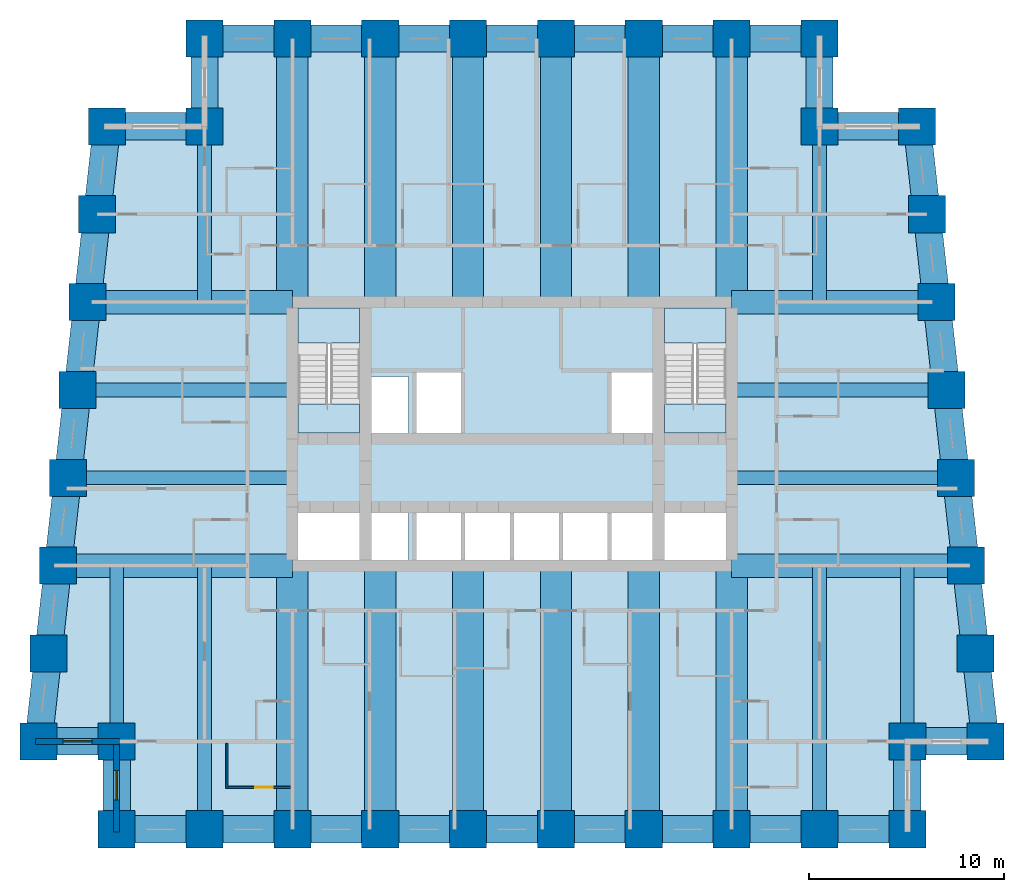
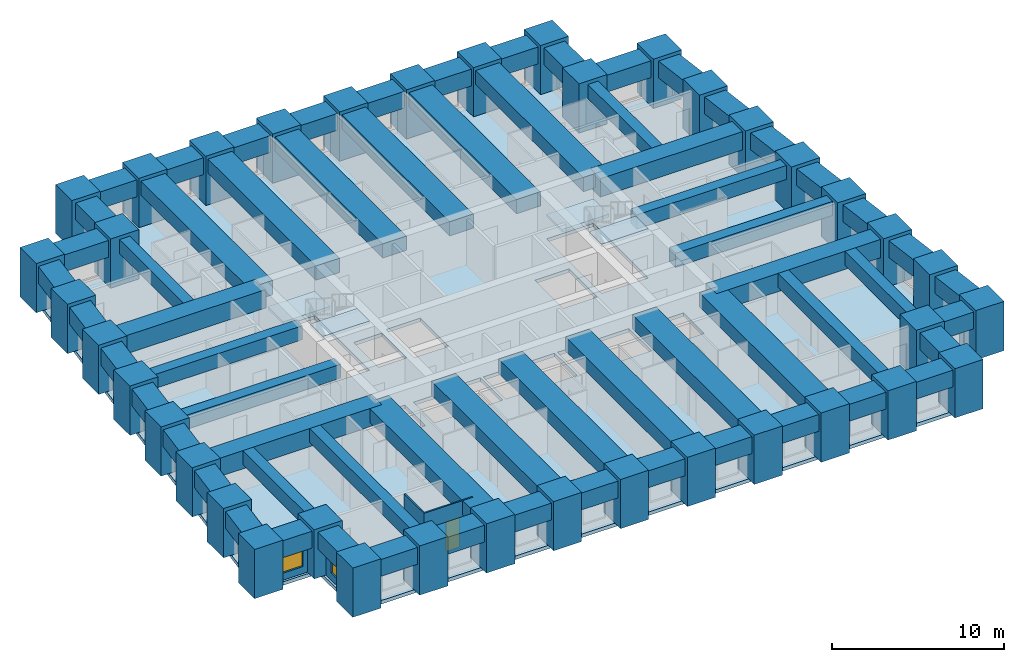
# One storey, part 1 of 8: 64 beams, 38 columns, 5 slabs, 4 walls, 2 windows, 1 door, 3 openings, 2 elements without a shape of their own.
"""IFC4 building model written with IfcOpenShell, lengths in metres."""

from ifc_helpers import new_model, si_unit, direction, frame, frame_2d, origin, origin_2d, place, context, subcontext, project, spatial, polyline, rectangle, outline, extrude, material, layer, layer_set, material_profile, profile_set, type_object, element, fill, aggregate, save


model = new_model("IFC4")

# Units and contexts
model_context = context("Model", 3, precision=1e-05, world=origin(), true_north=direction((0.0, 1.0)))
body_context = subcontext(model_context, "Body", "Model", "MODEL_VIEW")
ifc_project = project(units=[si_unit("LENGTHUNIT", "METRE"), si_unit("AREAUNIT", "SQUARE_METRE"), si_unit("VOLUMEUNIT", "CUBIC_METRE"), si_unit("PLANEANGLEUNIT", "RADIAN"), si_unit("MASSUNIT", "GRAM", prefix="KILO")], contexts=[model_context])

# Site, building, storey
site_placement = place(None, origin())
site = spatial("IfcSite", under=ifc_project, at=site_placement, CompositionType="ELEMENT")
building_placement = place(site_placement, origin())
building = spatial("IfcBuilding", under=site, at=building_placement, Name="Kilele Tower Hotel", CompositionType="ELEMENT")
storey_placement = place(building_placement, frame((0.0, 0.0, 54.199951171875)))
storey = spatial("IfcBuildingStorey", under=building, at=storey_placement, Name="L12", CompositionType="ELEMENT", Elevation=54.199951171875)

# Columns
ifc_material_1 = material(Name="Concrete C80/95", Category="concrete")
ifc_material_profile_1 = material_profile(ifc_material_1, rectangle(XDim=1.89990234375, YDim=1.89990234375, at=origin_2d()))
ifc_profile_set_1 = profile_set([ifc_material_profile_1], Name="Concrete C80/95")
column_type = type_object("IfcColumnType", Name="Tube column RC 1900x1900 C80/95", PredefinedType="COLUMN", material=ifc_profile_set_1)
for number, where, z_axis, x_axis, name in (
    (1, (0.5, 4.5, 0.0), (0.0, 0.0, 1.0), (1.0, 0.0, 0.0), "Column TC1 L12"),
    (2, (4.5, 4.5, 0.0), (0.0, 0.0, 1.0), (1.0, 0.0, 0.0), "Column TC1 L12"),
    (3, (4.5, 0.0, 0.0), (0.0, 0.0, 1.0), (1.0, 0.0, 0.0), "Column TC1 L12"),
    (4, (9.0, 0.0, 0.0), (0.0, 0.0, 1.0), (1.0, 0.0, 0.0), "Column TC1 L12"),
    (5, (13.5, 0.0, 0.0), (0.0, 0.0, 1.0), (1.0, 0.0, 0.0), "Column TC1 L12"),
    (6, (18.0, 0.0, 0.0), (0.0, 0.0, 1.0), (1.0, 0.0, 0.0), "Column TC1 L12"),
    (7, (22.5, 0.0, 0.0), (0.0, 0.0, 1.0), (1.0, 0.0, 0.0), "Column TC1 L12"),
    (8, (27.0, 0.0, 0.0), (0.0, 0.0, 1.0), (1.0, 0.0, 0.0), "Column TC1 L12"),
    (9, (31.5, 0.0, 0.0), (0.0, 0.0, 1.0), (1.0, 0.0, 0.0), "Column TC1 L12"),
    (10, (36.0, 0.0, 0.0), (0.0, 0.0, 1.0), (1.0, 0.0, 0.0), "Column TC1 L12"),
    (11, (40.5, 0.0, 0.0), (0.0, 0.0, 1.0), (1.0, 0.0, 0.0), "Column TC1 L12"),
    (12, (45.0, 0.0, 0.0), (0.0, 0.0, 1.0), (1.0, 0.0, 0.0), "Column TC1 L12"),
    (13, (45.0, 4.5, 0.0), (0.0, 0.0, 1.0), (1.0, 0.0, 0.0), "Column TC1 L12"),
    (14, (49.0, 4.5, 0.0), (0.0, 0.0, 1.0), (1.0, 0.0, 0.0), "Column TC1 L12"),
    (15, (48.5, 9.0, 0.0), (0.0, 0.0, 1.0), (1.0, 0.0, 0.0), "Column TC1 L12"),
    (16, (48.0, 13.5, 0.0), (0.0, 0.0, 1.0), (1.0, 0.0, 0.0), "Column TC1 L12"),
    (17, (47.5, 18.0, 0.0), (0.0, 0.0, 1.0), (1.0, 0.0, 0.0), "Column TC1 L12"),
    (18, (47.0, 22.5, 0.0), (0.0, 0.0, 1.0), (1.0, 0.0, 0.0), "Column TC1 L12"),
    (19, (46.5, 27.0, 0.0), (0.0, 0.0, 1.0), (1.0, 0.0, 0.0), "Column TC1 L12"),
    (20, (46.0, 31.5, 0.0), (0.0, 0.0, 1.0), (1.0, 0.0, 0.0), "Column TC1 L12"),
    (21, (45.5, 36.0, 0.0), (0.0, 0.0, 1.0), (1.0, 0.0, 0.0), "Column TC1 L12"),
    (22, (40.5, 36.0, 0.0), (0.0, 0.0, 1.0), (1.0, 0.0, 0.0), "Column TC1 L12"),
    (23, (40.5, 40.5, 0.0), (0.0, 0.0, 1.0), (1.0, 0.0, 0.0), "Column TC1 L12"),
    (24, (36.0, 40.5, 0.0), (0.0, 0.0, 1.0), (1.0, 0.0, 0.0), "Column TC1 L12"),
    (25, (31.5, 40.5, 0.0), (0.0, 0.0, 1.0), (1.0, 0.0, 0.0), "Column TC1 L12"),
    (26, (27.0, 40.5, 0.0), (0.0, 0.0, 1.0), (1.0, 0.0, 0.0), "Column TC1 L12"),
    (27, (22.5, 40.5, 0.0), (0.0, 0.0, 1.0), (1.0, 0.0, 0.0), "Column TC1 L12"),
    (28, (18.0, 40.5, 0.0), (0.0, 0.0, 1.0), (1.0, 0.0, 0.0), "Column TC1 L12"),
    (29, (13.5, 40.5, 0.0), (0.0, 0.0, 1.0), (1.0, 0.0, 0.0), "Column TC1 L12"),
    (30, (9.0, 40.5, 0.0), (0.0, 0.0, 1.0), (1.0, 0.0, 0.0), "Column TC1 L12"),
    (31, (9.0, 36.0, 0.0), (0.0, 0.0, 1.0), (1.0, 0.0, 0.0), "Column TC1 L12"),
    (32, (4.0, 36.0, 0.0), (0.0, 0.0, 1.0), (1.0, 0.0, 0.0), "Column TC1 L12"),
    (33, (3.5, 31.5, 0.0), (0.0, 0.0, 1.0), (1.0, 0.0, 0.0), "Column TC1 L12"),
    (34, (3.0, 27.0, 0.0), (0.0, 0.0, 1.0), (1.0, 0.0, 0.0), "Column TC1 L12"),
    (35, (2.5, 22.5, 0.0), (0.0, 0.0, 1.0), (1.0, 0.0, 0.0), "Column TC1 L12"),
    (36, (2.0, 18.0, 0.0), (0.0, 0.0, 1.0), (1.0, 0.0, 0.0), "Column TC1 L12"),
    (37, (1.5, 13.5, 0.0), (0.0, 0.0, 1.0), (1.0, 0.0, 0.0), "Column TC1 L12"),
    (38, (1.0, 9.0, 0.0), (0.0, 0.0, 1.0), (1.0, 0.0, 0.0), "Column TC1 L12"),
):
    element("IfcColumn", number, at=place(storey_placement, frame(where, z_axis=z_axis, x_axis=x_axis)), inside=storey, type_object=column_type, Name=name, PredefinedType="COLUMN", context=body_context, shape_type="SweptSolid", body=[
        extrude(rectangle(XDim=1.89990234375, YDim=1.89990234375, at=origin_2d()), origin(), (0.0, 0.0, 1.0), 3.5),
    ])

# Beams
ifc_material_2 = material(Name="Concrete C60/75", Category="concrete")
ifc_material_profile_2 = material_profile(ifc_material_2, rectangle(XDim=1.60009765625, YDim=1.0, at=origin_2d()))
ifc_profile_set_2 = profile_set([ifc_material_profile_2], Name="Concrete C60/75")
beam_type_1 = type_object("IfcBeamType", Name="Beam RC 1600x1000 C60/75", PredefinedType="BEAM", material=ifc_profile_set_2)
for number, where, z_axis, x_axis, name in (
    (39, (13.5, 0.0, 2.75), (0.0, 1.0, 0.0), (-1.0, 0.0, 0.0), "Beam BC1 level L13"),
    (40, (18.0, 0.0, 2.75), (0.0, 1.0, 0.0), (-1.0, 0.0, 0.0), "Beam BC1 level L13"),
    (41, (22.5, 0.0, 2.75), (0.0, 1.0, 0.0), (-1.0, 0.0, 0.0), "Beam BC1 level L13"),
    (42, (27.0, 0.0, 2.75), (0.0, 1.0, 0.0), (-1.0, 0.0, 0.0), "Beam BC1 level L13"),
    (43, (31.5, 0.0, 2.75), (0.0, 1.0, 0.0), (-1.0, 0.0, 0.0), "Beam BC1 level L13"),
    (44, (36.0, 0.0, 2.75), (0.0, 1.0, 0.0), (-1.0, 0.0, 0.0), "Beam BC1 level L13"),
    (45, (36.0, 40.5, 2.75), (0.0, -1.0, 0.0), (1.0, 0.0, 0.0), "Beam BC1 level L13"),
    (46, (31.5, 40.5, 2.75), (0.0, -1.0, 0.0), (1.0, 0.0, 0.0), "Beam BC1 level L13"),
    (47, (27.0, 40.5, 2.75), (0.0, -1.0, 0.0), (1.0, 0.0, 0.0), "Beam BC1 level L13"),
    (48, (22.5, 40.5, 2.75), (0.0, -1.0, 0.0), (1.0, 0.0, 0.0), "Beam BC1 level L13"),
    (49, (18.0, 40.5, 2.75), (0.0, -1.0, 0.0), (1.0, 0.0, 0.0), "Beam BC1 level L13"),
    (50, (13.5, 40.5, 2.75), (0.0, -1.0, 0.0), (1.0, 0.0, 0.0), "Beam BC1 level L13"),
):
    element("IfcBeam", number, at=place(storey_placement, frame(where, z_axis=z_axis, x_axis=x_axis)), inside=storey, type_object=beam_type_1, Name=name, PredefinedType="BEAM", context=body_context, shape_type="SweptSolid", body=[
        extrude(rectangle(XDim=1.60009765625, YDim=1.0, at=origin_2d()), origin(), (0.0, 0.0, 1.0), 13.5),
    ])
ifc_material_3 = material(Name="Concrete C60/75", Category="concrete")
ifc_material_profile_3 = material_profile(ifc_material_3, rectangle(XDim=0.699951171875, YDim=1.0, at=origin_2d()))
ifc_profile_set_3 = profile_set([ifc_material_profile_3], Name="Concrete C60/75")
beam_type_2 = type_object("IfcBeamType", Name="Beam RC 700x1000 C60/75", PredefinedType="BEAM", material=ifc_profile_set_3)
for number, where, z_axis, x_axis, name in (
    (51, (9.0, 0.0, 2.75), (0.0, 1.0, 0.0), (-1.0, 0.0, 0.0), "Beam B4 level L13"),
    (52, (40.5, 0.0, 2.75), (0.0, 1.0, 0.0), (-1.0, 0.0, 0.0), "Beam B4 level L13"),
):
    element("IfcBeam", number, at=place(storey_placement, frame(where, z_axis=z_axis, x_axis=x_axis)), inside=storey, type_object=beam_type_2, Name=name, PredefinedType="BEAM", context=body_context, shape_type="SweptSolid", body=[
        extrude(rectangle(XDim=0.699951171875, YDim=1.0, at=origin_2d()), origin(), (0.0, 0.0, 1.0), 13.5),
    ])
ifc_material_4 = material(Name="Concrete C60/75", Category="concrete")
ifc_material_profile_4 = material_profile(ifc_material_4, rectangle(XDim=0.699951171875, YDim=1.0, at=origin_2d()))
ifc_profile_set_4 = profile_set([ifc_material_profile_4], Name="Concrete C60/75")
beam_type_3 = type_object("IfcBeamType", Name="Beam RC 700x1000 C60/75 mid span", PredefinedType="BEAM", material=ifc_profile_set_4)
for number, where, z_axis, x_axis, name in (
    (53, (4.5, 4.5, 2.75), (0.0, 1.0, 0.0), (-1.0, 0.0, 0.0), "Beam B5 level L13"),
    (54, (45.0, 4.5, 2.75), (0.0, 1.0, 0.0), (-1.0, 0.0, 0.0), "Beam B5 level L13"),
):
    element("IfcBeam", number, at=place(storey_placement, frame(where, z_axis=z_axis, x_axis=x_axis)), inside=storey, type_object=beam_type_3, Name=name, PredefinedType="BEAM", context=body_context, shape_type="SweptSolid", body=[
        extrude(rectangle(XDim=0.699951171875, YDim=1.0, at=origin_2d()), origin(), (0.0, 0.0, 1.0), 9.0),
    ])
beam_1_placement = place(storey_placement, frame((47.5, 18.0, 2.75), z_axis=(-1.0, 0.0, 0.0), x_axis=(0.0, -1.0, 0.0)))
element("IfcBeam", 55, at=beam_1_placement, inside=storey, type_object=beam_type_3, Name="Beam B5 level L13", PredefinedType="BEAM", context=body_context, shape_type="SweptSolid", body=[
    extrude(rectangle(XDim=0.699951171875, YDim=1.0, at=origin_2d()), origin(), (0.0, 0.0, 1.0), 11.5),
])
beam_2_placement = place(storey_placement, frame((47.0, 22.5, 2.75), z_axis=(-1.0, 0.0, 0.0), x_axis=(0.0, -1.0, 0.0)))
element("IfcBeam", 56, at=beam_2_placement, inside=storey, type_object=beam_type_3, Name="Beam B5 level L13", PredefinedType="BEAM", context=body_context, shape_type="SweptSolid", body=[
    extrude(rectangle(XDim=0.699951171875, YDim=1.0, at=origin_2d()), origin(), (0.0, 0.0, 1.0), 11.0),
])
for number, where, z_axis, x_axis, name in (
    (57, (40.5, 36.0, 2.75), (0.0, -1.0, 0.0), (1.0, 0.0, 0.0), "Beam B5 level L13"),
    (58, (9.0, 36.0, 2.75), (0.0, -1.0, 0.0), (1.0, 0.0, 0.0), "Beam B5 level L13"),
):
    element("IfcBeam", number, at=place(storey_placement, frame(where, z_axis=z_axis, x_axis=x_axis)), inside=storey, type_object=beam_type_3, Name=name, PredefinedType="BEAM", context=body_context, shape_type="SweptSolid", body=[
        extrude(rectangle(XDim=0.699951171875, YDim=1.0, at=origin_2d()), origin(), (0.0, 0.0, 1.0), 9.0),
    ])
beam_3_placement = place(storey_placement, frame((2.5, 22.5, 2.75), z_axis=(1.0, 0.0, 0.0), x_axis=(0.0, 1.0, 0.0)))
element("IfcBeam", 59, at=beam_3_placement, inside=storey, type_object=beam_type_3, Name="Beam B5 level L13", PredefinedType="BEAM", context=body_context, shape_type="SweptSolid", body=[
    extrude(rectangle(XDim=0.699951171875, YDim=1.0, at=origin_2d()), origin(), (0.0, 0.0, 1.0), 11.0),
])
beam_4_placement = place(storey_placement, frame((2.0, 18.0, 2.75), z_axis=(1.0, 0.0, 0.0), x_axis=(0.0, 1.0, 0.0)))
element("IfcBeam", 60, at=beam_4_placement, inside=storey, type_object=beam_type_3, Name="Beam B5 level L13", PredefinedType="BEAM", context=body_context, shape_type="SweptSolid", body=[
    extrude(rectangle(XDim=0.699951171875, YDim=1.0, at=origin_2d()), origin(), (0.0, 0.0, 1.0), 11.5),
])
ifc_material_5 = material(Name="Concrete C60/75", Category="concrete")
ifc_material_profile_5 = material_profile(ifc_material_5, rectangle(XDim=1.199951171875, YDim=1.300048828125, at=origin_2d()))
ifc_profile_set_5 = profile_set([ifc_material_profile_5], Name="Concrete C60/75")
beam_type_4 = type_object("IfcBeamType", Name="Girder RC 1200x1300 C60/75", PredefinedType="BEAM", material=ifc_profile_set_5)
for number, where, z_axis, x_axis, name in (
    (61, (48.0, 13.5, 2.60009765625), (-1.0, 0.0, 0.0), (0.0, -1.0, 0.0), "Girder G1 level L13"),
    (62, (1.5, 13.5, 2.60009765625), (1.0, 0.0, 0.0), (0.0, 1.0, 0.0), "Girder G1 level L13"),
):
    element("IfcBeam", number, at=place(storey_placement, frame(where, z_axis=z_axis, x_axis=x_axis)), inside=storey, type_object=beam_type_4, Name=name, PredefinedType="BEAM", context=body_context, shape_type="SweptSolid", body=[
        extrude(rectangle(XDim=1.199951171875, YDim=1.300048828125, at=origin_2d()), origin(), (0.0, 0.0, 1.0), 12.0),
    ])
ifc_material_6 = material(Name="Concrete C60/75", Category="concrete")
ifc_material_profile_6 = material_profile(ifc_material_6, rectangle(XDim=1.199951171875, YDim=1.300048828125, at=origin_2d()))
ifc_profile_set_6 = profile_set([ifc_material_profile_6], Name="Concrete C60/75")
beam_type_5 = type_object("IfcBeamType", Name="Girder RC 1200x1300 C60/75 mid span", PredefinedType="BEAM", material=ifc_profile_set_6)
for number, where, z_axis, x_axis, name in (
    (63, (46.5, 27.0, 2.60009765625), (-1.0, 0.0, 0.0), (0.0, -1.0, 0.0), "Girder G3 level L13"),
    (64, (3.0, 27.0, 2.60009765625), (1.0, 0.0, 0.0), (0.0, 1.0, 0.0), "Girder G3 level L13"),
):
    element("IfcBeam", number, at=place(storey_placement, frame(where, z_axis=z_axis, x_axis=x_axis)), inside=storey, type_object=beam_type_5, Name=name, PredefinedType="BEAM", context=body_context, shape_type="SweptSolid", body=[
        extrude(rectangle(XDim=1.199951171875, YDim=1.300048828125, at=origin_2d()), origin(), (0.0, 0.0, 1.0), 10.5),
    ])
ifc_material_7 = material(Name="Concrete C60/75", Category="concrete")
ifc_material_profile_7 = material_profile(ifc_material_7, rectangle(XDim=1.39990234375, YDim=1.199951171875, at=origin_2d()))
ifc_profile_set_7 = profile_set([ifc_material_profile_7], Name="Concrete C60/75")
beam_type_6 = type_object("IfcBeamType", Name="Spandrel RC 1400x1200 C60/75", PredefinedType="SPANDREL", material=ifc_profile_set_7)
beam_5_placement = place(storey_placement, frame((0.5, 4.5, 2.650146484375), z_axis=(1.0, 0.0, 0.0), x_axis=(0.0, 1.0, 0.0)))
element("IfcBeam", 65, at=beam_5_placement, inside=storey, type_object=beam_type_6, Name="Spandrel SP10 level L13", PredefinedType="SPANDREL", context=body_context, shape_type="SweptSolid", body=[
    extrude(rectangle(XDim=1.39990234375, YDim=1.199951171875, at=origin_2d()), origin(), (0.0, 0.0, 1.0), 4.0),
])
for number, where, z_axis, x_axis, name in (
    (66, (4.5, 4.5, 2.650146484375), (0.0, -1.0, 0.0), (1.0, 0.0, 0.0), "Spandrel SP10 level L13"),
    (67, (4.5, 0.0, 2.650146484375), (1.0, 0.0, 0.0), (0.0, 1.0, 0.0), "Spandrel SP10 level L13"),
    (68, (9.0, 0.0, 2.650146484375), (1.0, 0.0, 0.0), (0.0, 1.0, 0.0), "Spandrel SP10 level L13"),
    (69, (13.5, 0.0, 2.650146484375), (1.0, 0.0, 0.0), (0.0, 1.0, 0.0), "Spandrel SP10 level L13"),
    (70, (18.0, 0.0, 2.650146484375), (1.0, 0.0, 0.0), (0.0, 1.0, 0.0), "Spandrel SP10 level L13"),
    (71, (22.5, 0.0, 2.650146484375), (1.0, 0.0, 0.0), (0.0, 1.0, 0.0), "Spandrel SP10 level L13"),
    (72, (27.0, 0.0, 2.650146484375), (1.0, 0.0, 0.0), (0.0, 1.0, 0.0), "Spandrel SP10 level L13"),
    (73, (31.5, 0.0, 2.650146484375), (1.0, 0.0, 0.0), (0.0, 1.0, 0.0), "Spandrel SP10 level L13"),
    (74, (36.0, 0.0, 2.650146484375), (1.0, 0.0, 0.0), (0.0, 1.0, 0.0), "Spandrel SP10 level L13"),
    (75, (40.5, 0.0, 2.650146484375), (1.0, 0.0, 0.0), (0.0, 1.0, 0.0), "Spandrel SP10 level L13"),
    (76, (45.0, 0.0, 2.650146484375), (0.0, 1.0, 0.0), (-1.0, 0.0, 0.0), "Spandrel SP10 level L13"),
):
    element("IfcBeam", number, at=place(storey_placement, frame(where, z_axis=z_axis, x_axis=x_axis)), inside=storey, type_object=beam_type_6, Name=name, PredefinedType="SPANDREL", context=body_context, shape_type="SweptSolid", body=[
        extrude(rectangle(XDim=1.39990234375, YDim=1.199951171875, at=origin_2d()), origin(), (0.0, 0.0, 1.0), 4.5),
    ])
beam_6_placement = place(storey_placement, frame((45.0, 4.5, 2.650146484375), z_axis=(1.0, 0.0, 0.0), x_axis=(0.0, 1.0, 0.0)))
element("IfcBeam", 77, at=beam_6_placement, inside=storey, type_object=beam_type_6, Name="Spandrel SP10 level L13", PredefinedType="SPANDREL", context=body_context, shape_type="SweptSolid", body=[
    extrude(rectangle(XDim=1.39990234375, YDim=1.199951171875, at=origin_2d()), origin(), (0.0, 0.0, 1.0), 4.0),
])
for number, where, z_axis, x_axis, name in (
    (78, (49.0, 4.5, 2.650146484375), (-0.110431526075, 0.993883734674, 0.0), (-0.993883734674, -0.110431526075, 0.0), "Spandrel SP10 level L13"),
    (79, (48.5, 9.0, 2.650146484375), (-0.110431526075, 0.993883734674, 0.0), (-0.993883734674, -0.110431526075, 0.0), "Spandrel SP10 level L13"),
    (80, (48.0, 13.5, 2.650146484375), (-0.110431526075, 0.993883734674, 0.0), (-0.993883734674, -0.110431526075, 0.0), "Spandrel SP10 level L13"),
    (81, (47.5, 18.0, 2.650146484375), (-0.110431526075, 0.993883734674, 0.0), (-0.993883734674, -0.110431526075, 0.0), "Spandrel SP10 level L13"),
    (82, (47.0, 22.5, 2.650146484375), (-0.110431526075, 0.993883734674, 0.0), (-0.993883734674, -0.110431526075, 0.0), "Spandrel SP10 level L13"),
    (83, (46.5, 27.0, 2.650146484375), (-0.110431526075, 0.993883734674, 0.0), (-0.993883734674, -0.110431526075, 0.0), "Spandrel SP10 level L13"),
    (84, (46.0, 31.5, 2.650146484375), (-0.110431526075, 0.993883734674, 0.0), (-0.993883734674, -0.110431526075, 0.0), "Spandrel SP10 level L13"),
):
    element("IfcBeam", number, at=place(storey_placement, frame(where, z_axis=z_axis, x_axis=x_axis)), inside=storey, type_object=beam_type_6, Name=name, PredefinedType="SPANDREL", context=body_context, shape_type="SweptSolid", body=[
        extrude(rectangle(XDim=1.39990234375, YDim=1.199951171875, at=origin_2d()), origin(), (0.0, 0.0, 1.0), 4.527587890625),
    ])
beam_7_placement = place(storey_placement, frame((45.5, 36.0, 2.650146484375), z_axis=(-1.0, 0.0, 0.0), x_axis=(0.0, -1.0, 0.0)))
element("IfcBeam", 85, at=beam_7_placement, inside=storey, type_object=beam_type_6, Name="Spandrel SP10 level L13", PredefinedType="SPANDREL", context=body_context, shape_type="SweptSolid", body=[
    extrude(rectangle(XDim=1.39990234375, YDim=1.199951171875, at=origin_2d()), origin(), (0.0, 0.0, 1.0), 5.0),
])
for number, where, z_axis, x_axis, name in (
    (86, (40.5, 36.0, 2.650146484375), (0.0, 1.0, 0.0), (-1.0, 0.0, 0.0), "Spandrel SP10 level L13"),
    (87, (40.5, 40.5, 2.650146484375), (-1.0, 0.0, 0.0), (0.0, -1.0, 0.0), "Spandrel SP10 level L13"),
    (88, (36.0, 40.5, 2.650146484375), (-1.0, 0.0, 0.0), (0.0, -1.0, 0.0), "Spandrel SP10 level L13"),
    (89, (31.5, 40.5, 2.650146484375), (-1.0, 0.0, 0.0), (0.0, -1.0, 0.0), "Spandrel SP10 level L13"),
    (90, (27.0, 40.5, 2.650146484375), (-1.0, 0.0, 0.0), (0.0, -1.0, 0.0), "Spandrel SP10 level L13"),
    (91, (22.5, 40.5, 2.650146484375), (-1.0, 0.0, 0.0), (0.0, -1.0, 0.0), "Spandrel SP10 level L13"),
    (92, (18.0, 40.5, 2.650146484375), (-1.0, 0.0, 0.0), (0.0, -1.0, 0.0), "Spandrel SP10 level L13"),
    (93, (13.5, 40.5, 2.650146484375), (-1.0, 0.0, 0.0), (0.0, -1.0, 0.0), "Spandrel SP10 level L13"),
    (94, (9.0, 40.5, 2.650146484375), (0.0, -1.0, 0.0), (1.0, 0.0, 0.0), "Spandrel SP10 level L13"),
):
    element("IfcBeam", number, at=place(storey_placement, frame(where, z_axis=z_axis, x_axis=x_axis)), inside=storey, type_object=beam_type_6, Name=name, PredefinedType="SPANDREL", context=body_context, shape_type="SweptSolid", body=[
        extrude(rectangle(XDim=1.39990234375, YDim=1.199951171875, at=origin_2d()), origin(), (0.0, 0.0, 1.0), 4.5),
    ])
beam_8_placement = place(storey_placement, frame((9.0, 36.0, 2.650146484375), z_axis=(-1.0, 0.0, 0.0), x_axis=(0.0, -1.0, 0.0)))
element("IfcBeam", 95, at=beam_8_placement, inside=storey, type_object=beam_type_6, Name="Spandrel SP10 level L13", PredefinedType="SPANDREL", context=body_context, shape_type="SweptSolid", body=[
    extrude(rectangle(XDim=1.39990234375, YDim=1.199951171875, at=origin_2d()), origin(), (0.0, 0.0, 1.0), 5.0),
])
for number, where, z_axis, x_axis, name in (
    (96, (4.0, 36.0, 2.650146484375), (-0.110431526075, -0.993883734674, 0.0), (0.993883734674, -0.110431526075, 0.0), "Spandrel SP10 level L13"),
    (97, (3.5, 31.5, 2.650146484375), (-0.110431526075, -0.993883734674, 0.0), (0.993883734674, -0.110431526075, 0.0), "Spandrel SP10 level L13"),
    (98, (3.0, 27.0, 2.650146484375), (-0.110431526075, -0.993883734674, 0.0), (0.993883734674, -0.110431526075, 0.0), "Spandrel SP10 level L13"),
    (99, (2.5, 22.5, 2.650146484375), (-0.110431526075, -0.993883734674, 0.0), (0.993883734674, -0.110431526075, 0.0), "Spandrel SP10 level L13"),
    (100, (2.0, 18.0, 2.650146484375), (-0.110431526075, -0.993883734674, 0.0), (0.993883734674, -0.110431526075, 0.0), "Spandrel SP10 level L13"),
    (101, (1.5, 13.5, 2.650146484375), (-0.110431526075, -0.993883734674, 0.0), (0.993883734674, -0.110431526075, 0.0), "Spandrel SP10 level L13"),
    (102, (1.0, 9.0, 2.650146484375), (-0.110431526075, -0.993883734674, 0.0), (0.993883734674, -0.110431526075, 0.0), "Spandrel SP10 level L13"),
):
    element("IfcBeam", number, at=place(storey_placement, frame(where, z_axis=z_axis, x_axis=x_axis)), inside=storey, type_object=beam_type_6, Name=name, PredefinedType="SPANDREL", context=body_context, shape_type="SweptSolid", body=[
        extrude(rectangle(XDim=1.39990234375, YDim=1.199951171875, at=origin_2d()), origin(), (0.0, 0.0, 1.0), 4.527587890625),
    ])

# Slab
ifc_material_8 = material(Name="Concrete C60/75", Category="concrete")
ifc_layer_1 = layer(ifc_material_8, 0.25)
ifc_layer_set_1 = layer_set([ifc_layer_1], Name="Concrete C60/75")
slab_type_1 = type_object("IfcSlabType", Name="Floor slab 250", PredefinedType="FLOOR", material=ifc_layer_set_1)
slab_1_placement = place(storey_placement, frame((0.0, 0.0, -0.25)))
element("IfcSlab", 103, at=slab_1_placement, inside=storey, type_object=slab_type_1, Name="Floor slab L12", PredefinedType="FLOOR", context=body_context, shape_type="SweptSolid", body=[
    extrude(outline(polyline([(8.699951171875, 36.300048828125), (8.699951171875, 40.800048828125), (40.800048828125, 40.800048828125), (40.800048828125, 36.300048828125), (45.7685546875, 36.300048828125), (49.335205078125, 4.199951171875), (45.300048828125, 4.199951171875), (45.300048828125, -0.300048828125), (4.199951171875, -0.300048828125), (4.199951171875, 4.199951171875), (0.164794921875, 4.199951171875), (3.7314453125, 36.300048828125), (8.699951171875, 36.300048828125)]), holes=[polyline([(16.949951171875, 16.199951171875), (13.800048828125, 16.199951171875), (13.800048828125, 13.800048828125), (16.949951171875, 13.800048828125), (16.949951171875, 16.199951171875)]), polyline([(19.449951171875, 13.800048828125), (19.449951171875, 16.199951171875), (17.550048828125, 16.199951171875), (17.550048828125, 13.800048828125), (19.449951171875, 13.800048828125)]), polyline([(22.14990234375, 13.800048828125), (22.14990234375, 16.39990234375), (19.85009765625, 16.39990234375), (19.85009765625, 13.800048828125), (22.14990234375, 13.800048828125)]), polyline([(24.64990234375, 16.39990234375), (22.35009765625, 16.39990234375), (22.35009765625, 13.800048828125), (24.64990234375, 13.800048828125), (24.64990234375, 16.39990234375)]), polyline([(19.449951171875, 20.300048828125), (19.449951171875, 23.199951171875), (17.550048828125, 23.199951171875), (17.550048828125, 20.300048828125), (19.449951171875, 20.300048828125)]), polyline([(22.14990234375, 20.10009765625), (22.14990234375, 23.39990234375), (19.85009765625, 23.39990234375), (19.85009765625, 20.10009765625), (22.14990234375, 20.10009765625)]), polyline([(16.949951171875, 26.699951171875), (13.800048828125, 26.699951171875), (13.800048828125, 20.300048828125), (16.949951171875, 20.300048828125), (16.949951171875, 26.699951171875)]), polyline([(35.699951171875, 13.800048828125), (35.699951171875, 16.199951171875), (32.550048828125, 16.199951171875), (32.550048828125, 13.800048828125), (35.699951171875, 13.800048828125)]), polyline([(27.14990234375, 13.800048828125), (27.14990234375, 16.39990234375), (24.85009765625, 16.39990234375), (24.85009765625, 13.800048828125), (27.14990234375, 13.800048828125)]), polyline([(29.64990234375, 13.800048828125), (29.64990234375, 16.39990234375), (27.35009765625, 16.39990234375), (27.35009765625, 13.800048828125), (29.64990234375, 13.800048828125)]), polyline([(32.14990234375, 13.800048828125), (32.14990234375, 16.39990234375), (29.85009765625, 16.39990234375), (29.85009765625, 13.800048828125), (32.14990234375, 13.800048828125)]), polyline([(32.14990234375, 20.10009765625), (32.14990234375, 23.39990234375), (29.85009765625, 23.39990234375), (29.85009765625, 20.10009765625), (32.14990234375, 20.10009765625)]), polyline([(35.699951171875, 20.300048828125), (35.699951171875, 26.699951171875), (32.550048828125, 26.699951171875), (32.550048828125, 20.300048828125), (35.699951171875, 20.300048828125)])]), origin(), (0.0, 0.0, 1.0), 0.25),
])

# Stair, slabs
ifc_material_9 = material(Name="Precast concrete C40/50", Category="concrete")
stair_type = type_object("IfcStairType", Name="Stair 1475 x 3500", PredefinedType="HALF_TURN_STAIR", material=ifc_material_9)
stair_1_placement = place(storey_placement, origin())
stair_1 = element("IfcStair", 104, at=stair_1_placement, inside=storey, type_object=stair_type, Name="Stair 1 L12", PredefinedType="HALF_TURN_STAIR")
ifc_material_10 = material(Name="Precast concrete C40/50", Category="concrete")
ifc_layer_2 = layer(ifc_material_10, 0.199951171875)
ifc_layer_set_2 = layer_set([ifc_layer_2], Name="Precast concrete C40/50")
slab_type_2 = type_object("IfcSlabType", Name="Stair landing 200", PredefinedType="LANDING", material=ifc_layer_set_2)
slab_2_placement = place(storey_placement, frame((0.0, 0.0, 1.550048828125)))
slab_2 = element("IfcSlab", 105, at=slab_2_placement, type_object=slab_type_2, Name="ST1 landing 1", PredefinedType="LANDING", context=body_context, shape_type="SweptSolid", body=[
    extrude(outline(polyline([(13.800048828125, 24.89501953125), (16.949951171875, 24.89501953125), (16.949951171875, 26.699951171875), (13.800048828125, 26.699951171875), (13.800048828125, 24.89501953125)])), origin(), (0.0, 0.0, 1.0), 0.199951171875),
])
slab_3_placement = place(storey_placement, frame((0.0, 0.0, 3.300048828125)))
slab_3 = element("IfcSlab", 106, at=slab_3_placement, type_object=slab_type_2, Name="ST1 landing 2", PredefinedType="LANDING", context=body_context, shape_type="SweptSolid", body=[
    extrude(outline(polyline([(13.800048828125, 20.300048828125), (16.949951171875, 20.300048828125), (16.949951171875, 21.77490234375), (13.800048828125, 21.77490234375), (13.800048828125, 20.300048828125)])), origin(), (0.0, 0.0, 1.0), 0.199951171875),
])
aggregate(stair_1, [slab_2, slab_3])

stair_2_placement = place(storey_placement, origin())
stair_2 = element("IfcStair", 107, at=stair_2_placement, inside=storey, type_object=stair_type, Name="Stair 2 L12", PredefinedType="HALF_TURN_STAIR")
slab_4_placement = place(storey_placement, frame((0.0, 0.0, 1.550048828125)))
slab_4 = element("IfcSlab", 108, at=slab_4_placement, type_object=slab_type_2, Name="ST2 landing 1", PredefinedType="LANDING", context=body_context, shape_type="SweptSolid", body=[
    extrude(outline(polyline([(32.550048828125, 24.89501953125), (35.699951171875, 24.89501953125), (35.699951171875, 26.699951171875), (32.550048828125, 26.699951171875), (32.550048828125, 24.89501953125)])), origin(), (0.0, 0.0, 1.0), 0.199951171875),
])
slab_5_placement = place(storey_placement, frame((0.0, 0.0, 3.300048828125)))
slab_5 = element("IfcSlab", 109, at=slab_5_placement, type_object=slab_type_2, Name="ST2 landing 2", PredefinedType="LANDING", context=body_context, shape_type="SweptSolid", body=[
    extrude(outline(polyline([(32.550048828125, 20.300048828125), (35.699951171875, 20.300048828125), (35.699951171875, 21.77490234375), (32.550048828125, 21.77490234375), (32.550048828125, 20.300048828125)])), origin(), (0.0, 0.0, 1.0), 0.199951171875),
])
aggregate(stair_2, [slab_4, slab_5])

# Wall
ifc_material_11 = material(Name="Moisture-resistant board")
ifc_layer_3 = layer(ifc_material_11, 0.10009765625)
ifc_layer_set_3 = layer_set([ifc_layer_3], Name="Moisture-resistant board")
wall_type_1 = type_object("IfcWallType", Name="Bathroom partition 100", PredefinedType="PLUMBINGWALL", material=ifc_layer_set_3)
wall_1_placement = place(storey_placement, frame((10.14990234375, 4.39990234375, 0.0), z_axis=(0.0, 0.0, 1.0), x_axis=(0.0, -1.0, 0.0)))
element("IfcWall", 110, at=wall_1_placement, inside=storey, type_object=wall_type_1, Name="Bathroom partition 100 L12", PredefinedType="PLUMBINGWALL", context=body_context, shape_type="SweptSolid", body=[
    extrude(rectangle(XDim=2.2998046875, YDim=0.10009765625, at=frame_2d((1.14990234375, 0.0))), origin(), (0.0, 0.0, 1.0), 3.25),
])

# Wall, opening, door
wall_2_placement = place(storey_placement, frame((13.39990234375, 2.14990234375, 0.0), z_axis=(0.0, 0.0, 1.0), x_axis=(-1.0, 0.0, 0.0)))
wall_2 = element("IfcWall", 111, at=wall_2_placement, inside=storey, type_object=wall_type_1, Name="Bathroom partition 100 L12", PredefinedType="PLUMBINGWALL", context=body_context, shape_type="SweptSolid", body=[
    extrude(rectangle(XDim=3.2998046875, YDim=0.10009765625, at=frame_2d((1.64990234375, 0.0))), origin(), (0.0, 0.0, 1.0), 3.25),
])
opening_1_placement = place(wall_2_placement, frame((0.89990234375, 0.0, 0.0)))
opening_1 = element("IfcOpeningElement", 112, at=opening_1_placement, cuts=wall_2, Name="Opening D2A", PredefinedType="OPENING", context=body_context, shape_type="SweptSolid", body=[
    extrude(rectangle(XDim=0.89990234375, YDim=2.10009765625, at=frame_2d((0.449951171875, 1.050048828125))), frame((0.0, 0.06005859375, 0.0), z_axis=(0.0, -1.0, 0.0), x_axis=(1.0, 0.0, 0.0)), (0.0, 0.0, 1.0), 0.1201171875),
])
ifc_material_12 = material(Name="Timber door leaf in hardwood frame", Category="wood")
door_type = type_object("IfcDoorType", Name="Bathroom door 900", OperationType="SINGLE_SWING_LEFT", PredefinedType="DOOR", material=ifc_material_12)
door_placement = place(opening_1_placement, origin())
door = element("IfcDoor", 113, at=door_placement, inside=storey, type_object=door_type, Name="Bathroom door 1219B", OperationType="SINGLE_SWING_LEFT", OverallHeight=2.10009765625, OverallWidth=0.89990234375, PredefinedType="DOOR", context=body_context, shape_type="SweptSolid", body=[
    extrude(rectangle(XDim=0.89990234375, YDim=2.10009765625, at=frame_2d((0.449951171875, 1.050048828125))), frame((0.0, 0.02490234375, 0.0), z_axis=(0.0, -1.0, 0.0), x_axis=(1.0, 0.0, 0.0)), (0.0, 0.0, 1.0), 0.050048828125),
])
fill(opening_1, door)

# Wall, opening, window
ifc_material_13 = material(Name="Concrete C40/50 precast", Category="concrete")
ifc_layer_4 = layer(ifc_material_13, 0.260009765625, Name="Precast backing", Category="LoadBearing")
ifc_material_14 = material(Name="Reconstituted stone finish", Category="masonry")
ifc_layer_5 = layer(ifc_material_14, 0.0400390625, Name="Face mix", Category="Finish")
ifc_layer_set_4 = layer_set([ifc_layer_4, ifc_layer_5], Name="Precast concrete C40/50, reconstituted stone finish")
wall_type_2 = type_object("IfcWallType", Name="Precast stone facade wall 300", PredefinedType="STANDARD", material=ifc_layer_set_4)
wall_3_placement = place(storey_placement, frame((0.35009765625, 4.5, 0.0), z_axis=(0.0, 0.0, 1.0), x_axis=(1.0, 0.0, 0.0)))
wall_3 = element("IfcWall", 114, at=wall_3_placement, inside=storey, type_object=wall_type_2, Name="Facade wall L12 edge 1", PredefinedType="STANDARD", context=body_context, shape_type="SweptSolid", body=[
    extrude(rectangle(XDim=4.2998046875, YDim=0.300048828125, at=frame_2d((2.14990234375, 0.0))), origin(), (0.0, 0.0, 1.0), 2.050048828125),
])
opening_2_placement = place(wall_3_placement, frame((1.39990234375, 0.0, 0.5)))
opening_2 = element("IfcOpeningElement", 115, at=opening_2_placement, cuts=wall_3, Name="Opening W1", PredefinedType="OPENING", context=body_context, shape_type="SweptSolid", body=[
    extrude(rectangle(XDim=1.5, YDim=1.39990234375, at=frame_2d((0.75, 0.699951171875))), frame((0.0, 0.159912109375, 0.0), z_axis=(0.0, -1.0, 0.0), x_axis=(1.0, 0.0, 0.0)), (0.0, 0.0, 1.0), 0.320068359375),
])
ifc_material_15 = material(Name="Aluminium frame, clear double glazing", Category="aluminium")
window_type = type_object("IfcWindowType", Name="Window W1 1500 x 1400", PartitioningType="SINGLE_PANEL", PredefinedType="WINDOW", material=ifc_material_15)
window_1_placement = place(opening_2_placement, origin())
window_1 = element("IfcWindow", 116, at=window_1_placement, inside=storey, type_object=window_type, Name="Window L12", OverallHeight=1.39990234375, OverallWidth=1.5, PartitioningType="SINGLE_PANEL", PredefinedType="WINDOW", context=body_context, shape_type="SweptSolid", body=[
    extrude(rectangle(XDim=1.5, YDim=1.39990234375, at=frame_2d((0.75, 0.699951171875))), frame((0.0, 0.030029296875, 0.0), z_axis=(0.0, -1.0, 0.0), x_axis=(1.0, 0.0, 0.0)), (0.0, 0.0, 1.0), 0.06005859375),
])
fill(opening_2, window_1)

wall_4_placement = place(storey_placement, frame((4.5, 4.64990234375, 0.0), z_axis=(0.0, 0.0, 1.0), x_axis=(0.0, -1.0, 0.0)))
wall_4 = element("IfcWall", 117, at=wall_4_placement, inside=storey, type_object=wall_type_2, Name="Facade wall L12 edge 2", PredefinedType="STANDARD", context=body_context, shape_type="SweptSolid", body=[
    extrude(rectangle(XDim=4.7998046875, YDim=0.300048828125, at=frame_2d((2.39990234375, 0.0))), origin(), (0.0, 0.0, 1.0), 2.050048828125),
])
opening_3_placement = place(wall_4_placement, frame((1.64990234375, 0.0, 0.5)))
opening_3 = element("IfcOpeningElement", 118, at=opening_3_placement, cuts=wall_4, Name="Opening W1", PredefinedType="OPENING", context=body_context, shape_type="SweptSolid", body=[
    extrude(rectangle(XDim=1.5, YDim=1.39990234375, at=frame_2d((0.75, 0.699951171875))), frame((0.0, 0.159912109375, 0.0), z_axis=(0.0, -1.0, 0.0), x_axis=(1.0, 0.0, 0.0)), (0.0, 0.0, 1.0), 0.320068359375),
])
window_2_placement = place(opening_3_placement, origin())
window_2 = element("IfcWindow", 119, at=window_2_placement, inside=storey, type_object=window_type, Name="Window L12", OverallHeight=1.39990234375, OverallWidth=1.5, PartitioningType="SINGLE_PANEL", PredefinedType="WINDOW", context=body_context, shape_type="SweptSolid", body=[
    extrude(rectangle(XDim=1.5, YDim=1.39990234375, at=frame_2d((0.75, 0.699951171875))), frame((0.0, 0.030029296875, 0.0), z_axis=(0.0, -1.0, 0.0), x_axis=(1.0, 0.0, 0.0)), (0.0, 0.0, 1.0), 0.06005859375),
])
fill(opening_3, window_2)

save(model, "model.ifc")
